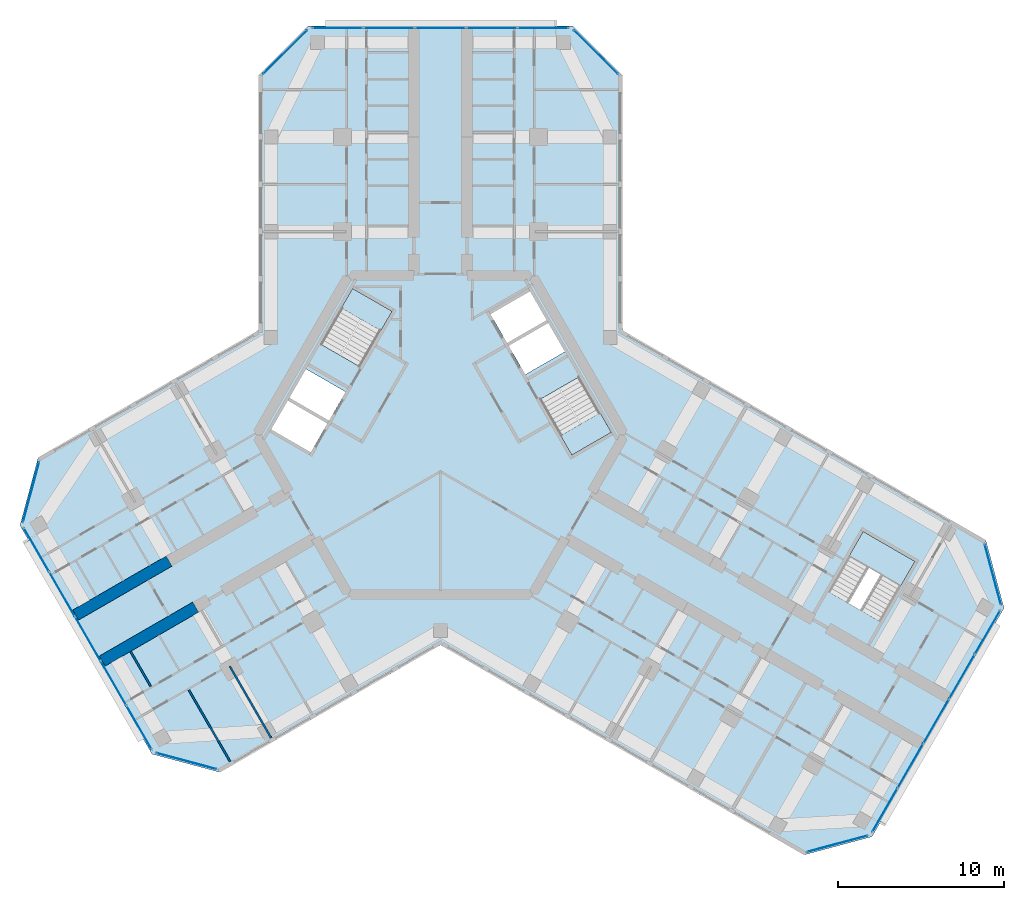
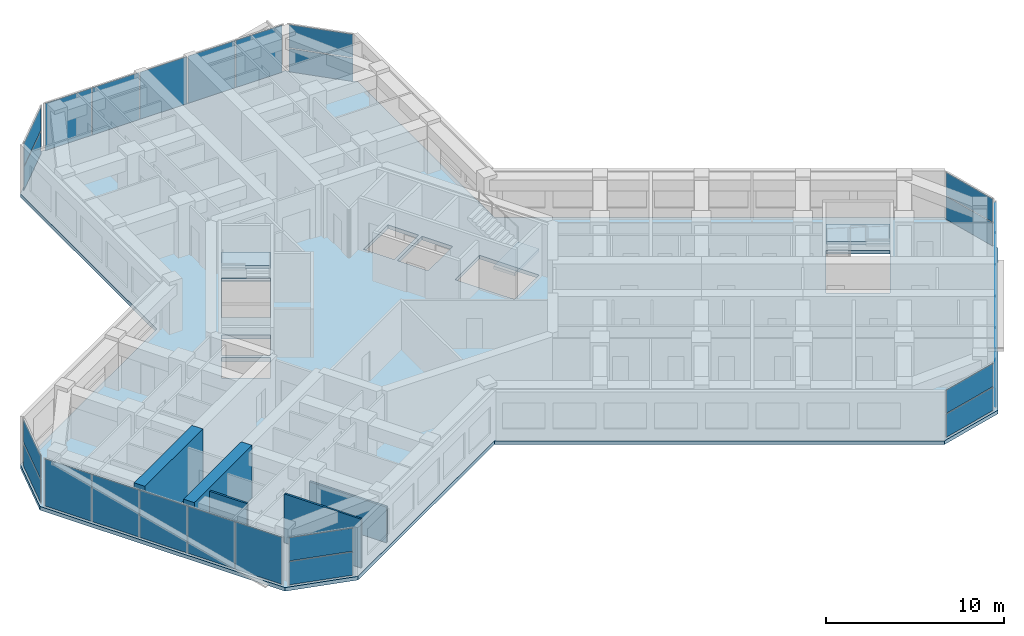
# One storey, part 7 of 16: 27 plates, 5 walls, 4 slabs, 12 elements without a shape of their own.
"""IFC4 building model written with IfcOpenShell, lengths in metres."""

from ifc_helpers import new_model, si_unit, direction, frame, frame_2d, origin, origin_2d, place, context, subcontext, project, spatial, polyline, rectangle, outline, extrude, material, layer, layer_set, type_object, element, aggregate, save


model = new_model("IFC4")

# Units and contexts
model_context = context("Model", 3, precision=1e-05, world=origin(), true_north=direction((0.0, 1.0)))
body_context = subcontext(model_context, "Body", "Model", "MODEL_VIEW")
ifc_project = project(units=[si_unit("LENGTHUNIT", "METRE"), si_unit("AREAUNIT", "SQUARE_METRE"), si_unit("VOLUMEUNIT", "CUBIC_METRE"), si_unit("PLANEANGLEUNIT", "RADIAN"), si_unit("MASSUNIT", "GRAM", prefix="KILO")], contexts=[model_context])

# Site, building, storey
site_placement = place(None, origin())
site = spatial("IfcSite", under=ifc_project, at=site_placement, CompositionType="ELEMENT")
building_placement = place(site_placement, origin())
building = spatial("IfcBuilding", under=site, at=building_placement, Name="Kosmar Iwan School Tower", CompositionType="ELEMENT")
storey_placement = place(building_placement, frame((0.0, 0.0, 235.199951171875)))
storey = spatial("IfcBuildingStorey", under=building, at=storey_placement, Name="L59", CompositionType="ELEMENT", Elevation=235.199951171875)

# Curtain wall, plates
ifc_material_1 = material(Name="Dark glass in black aluminium frame", Category="aluminium")
curtain_wall_type_1 = type_object("IfcCurtainWallType", Name="Chamfer curtain wall dark glass", PredefinedType="USERDEFINED", material=ifc_material_1)
curtain_wall_1_placement = place(storey_placement, origin())
curtain_wall_1 = element("IfcCurtainWall", 1, at=curtain_wall_1_placement, inside=storey, type_object=curtain_wall_type_1, Name="Curtain wall L59-F00", ObjectType="FACETED CURTAIN WALL", PredefinedType="USERDEFINED")
ifc_material_2 = material(Name="Dark glass", Category="glass")
ifc_layer_1 = layer(ifc_material_2, 0.028076171875)
ifc_layer_set_1 = layer_set([ifc_layer_1], Name="Dark glass panel 28")
plate_type = type_object("IfcPlateType", Name="Dark glass panel 28", PredefinedType="CURTAIN_PANEL", material=ifc_layer_set_1)
plate_1_placement = place(storey_placement, frame((23.908203125, -24.61328125, 0.06005859375), z_axis=(0.0, 0.0, 1.0), x_axis=(0.965925875495, 0.258818861462, 0.0)))
plate_1 = element("IfcPlate", 2, at=plate_1_placement, type_object=plate_type, Name="CW2 panel 1.1", PredefinedType="CURTAIN_PANEL", context=body_context, shape_type="SweptSolid", body=[
    extrude(rectangle(XDim=3.718994140625, YDim=0.028076171875, at=origin_2d()), origin(), (0.0, 0.0, 1.0), 1.5849609375),
])
plate_2_placement = place(storey_placement, frame((23.908203125, -24.61328125, 1.705078125), z_axis=(0.0, 0.0, 1.0), x_axis=(0.965925875495, 0.258818861462, 0.0)))
plate_2 = element("IfcPlate", 3, at=plate_2_placement, type_object=plate_type, Name="CW2 panel 1.2", PredefinedType="CURTAIN_PANEL", context=body_context, shape_type="SweptSolid", body=[
    extrude(rectangle(XDim=3.718994140625, YDim=0.028076171875, at=origin_2d()), origin(), (0.0, 0.0, 1.0), 1.5849609375),
])
aggregate(curtain_wall_1, [plate_1, plate_2])

ifc_material_3 = material(Name="Dark glass in black aluminium frame", Category="aluminium")
curtain_wall_type_2 = type_object("IfcCurtainWallType", Name="Tower curtain wall dark glass", PredefinedType="USERDEFINED", material=ifc_material_3)
curtain_wall_2_placement = place(storey_placement, origin())
curtain_wall_2 = element("IfcCurtainWall", 4, at=curtain_wall_2_placement, inside=storey, type_object=curtain_wall_type_2, Name="Curtain wall L59-F01", ObjectType="UNITISED CURTAIN WALL", PredefinedType="USERDEFINED")
plate_3_placement = place(storey_placement, frame((26.764404296875, -22.592529296875, 0.06005859375), z_axis=(0.0, 0.0, 1.0), x_axis=(0.499999997325, 0.866025405329, 0.0)))
plate_3 = element("IfcPlate", 5, at=plate_3_placement, type_object=plate_type, Name="CW1 panel 1.1", PredefinedType="CURTAIN_PANEL", context=body_context, shape_type="SweptSolid", body=[
    extrude(rectangle(XDim=3.00927734375, YDim=0.028076171875, at=origin_2d()), origin(), (0.0, 0.0, 1.0), 3.22998046875),
])
plate_4_placement = place(storey_placement, frame((28.306640625, -19.921630859375, 0.06005859375), z_axis=(0.0, 0.0, 1.0), x_axis=(0.499999997325, 0.866025405329, 0.0)))
plate_4 = element("IfcPlate", 6, at=plate_4_placement, type_object=plate_type, Name="CW1 panel 2.1", PredefinedType="CURTAIN_PANEL", context=body_context, shape_type="SweptSolid", body=[
    extrude(rectangle(XDim=3.039306640625, YDim=0.028076171875, at=origin_2d()), origin(), (0.0, 0.0, 1.0), 3.22998046875),
])
plate_5_placement = place(storey_placement, frame((29.856201171875, -17.237548828125, 0.06005859375), z_axis=(0.0, 0.0, 1.0), x_axis=(0.499999997325, 0.866025405329, 0.0)))
plate_5 = element("IfcPlate", 7, at=plate_5_placement, type_object=plate_type, Name="CW1 panel 3.1", PredefinedType="CURTAIN_PANEL", context=body_context, shape_type="SweptSolid", body=[
    extrude(rectangle(XDim=3.039306640625, YDim=0.028076171875, at=origin_2d()), origin(), (0.0, 0.0, 1.0), 3.22998046875),
])
plate_6_placement = place(storey_placement, frame((31.40576171875, -14.553466796875, 0.06005859375), z_axis=(0.0, 0.0, 1.0), x_axis=(0.499999997325, 0.866025405329, 0.0)))
plate_6 = element("IfcPlate", 8, at=plate_6_placement, type_object=plate_type, Name="CW1 panel 4.1", PredefinedType="CURTAIN_PANEL", context=body_context, shape_type="SweptSolid", body=[
    extrude(rectangle(XDim=3.039306640625, YDim=0.028076171875, at=origin_2d()), origin(), (0.0, 0.0, 1.0), 3.22998046875),
])
plate_7_placement = place(storey_placement, frame((32.947998046875, -11.88232421875, 0.06005859375), z_axis=(0.0, 0.0, 1.0), x_axis=(0.499999997325, 0.866025405329, 0.0)))
plate_7 = element("IfcPlate", 9, at=plate_7_placement, type_object=plate_type, Name="CW1 panel 5.1", PredefinedType="CURTAIN_PANEL", context=body_context, shape_type="SweptSolid", body=[
    extrude(rectangle(XDim=3.00927734375, YDim=0.028076171875, at=origin_2d()), origin(), (0.0, 0.0, 1.0), 3.22998046875),
])
aggregate(curtain_wall_2, [plate_3, plate_4, plate_5, plate_6, plate_7])

curtain_wall_3_placement = place(storey_placement, origin())
curtain_wall_3 = element("IfcCurtainWall", 10, at=curtain_wall_3_placement, inside=storey, type_object=curtain_wall_type_1, Name="Curtain wall L59-F02", ObjectType="FACETED CURTAIN WALL", PredefinedType="USERDEFINED")
plate_8_placement = place(storey_placement, frame((33.269775390625, -8.3984375, 0.06005859375), z_axis=(0.0, 0.0, 1.0), x_axis=(-0.258818861462, 0.965925875495, 0.0)))
plate_8 = element("IfcPlate", 11, at=plate_8_placement, type_object=plate_type, Name="CW2 panel 1.1", PredefinedType="CURTAIN_PANEL", context=body_context, shape_type="SweptSolid", body=[
    extrude(rectangle(XDim=3.718994140625, YDim=0.028076171875, at=origin_2d()), origin(), (0.0, 0.0, 1.0), 1.5849609375),
])
plate_9_placement = place(storey_placement, frame((33.269775390625, -8.3984375, 1.705078125), z_axis=(0.0, 0.0, 1.0), x_axis=(-0.258818861462, 0.965925875495, 0.0)))
plate_9 = element("IfcPlate", 12, at=plate_9_placement, type_object=plate_type, Name="CW2 panel 1.2", PredefinedType="CURTAIN_PANEL", context=body_context, shape_type="SweptSolid", body=[
    extrude(rectangle(XDim=3.718994140625, YDim=0.028076171875, at=origin_2d()), origin(), (0.0, 0.0, 1.0), 1.5849609375),
])
aggregate(curtain_wall_3, [plate_8, plate_9])

curtain_wall_4_placement = place(storey_placement, origin())
curtain_wall_4 = element("IfcCurtainWall", 13, at=curtain_wall_4_placement, inside=storey, type_object=curtain_wall_type_1, Name="Curtain wall L59-F05", ObjectType="FACETED CURTAIN WALL", PredefinedType="USERDEFINED")
plate_10_placement = place(storey_placement, frame((9.361572265625, 23.0615234375, 0.06005859375), z_axis=(0.0, 0.0, 1.0), x_axis=(-0.707106781187, 0.707106781187, 0.0)))
plate_10 = element("IfcPlate", 14, at=plate_10_placement, type_object=plate_type, Name="CW2 panel 1.1", PredefinedType="CURTAIN_PANEL", context=body_context, shape_type="SweptSolid", body=[
    extrude(rectangle(XDim=3.718994140625, YDim=0.028076171875, at=origin_2d()), origin(), (0.0, 0.0, 1.0), 1.5849609375),
])
plate_11_placement = place(storey_placement, frame((9.361572265625, 23.0615234375, 1.705078125), z_axis=(0.0, 0.0, 1.0), x_axis=(-0.707106781187, 0.707106781187, 0.0)))
plate_11 = element("IfcPlate", 15, at=plate_11_placement, type_object=plate_type, Name="CW2 panel 1.2", PredefinedType="CURTAIN_PANEL", context=body_context, shape_type="SweptSolid", body=[
    extrude(rectangle(XDim=3.718994140625, YDim=0.028076171875, at=origin_2d()), origin(), (0.0, 0.0, 1.0), 1.5849609375),
])
aggregate(curtain_wall_4, [plate_10, plate_11])

curtain_wall_5_placement = place(storey_placement, origin())
curtain_wall_5 = element("IfcCurtainWall", 16, at=curtain_wall_5_placement, inside=storey, type_object=curtain_wall_type_2, Name="Curtain wall L59-F06", ObjectType="UNITISED CURTAIN WALL", PredefinedType="USERDEFINED")
plate_12_placement = place(storey_placement, frame((6.18359375, 24.52490234375, 0.06005859375), z_axis=(0.0, 0.0, 1.0), x_axis=(-1.0, 0.0, 0.0)))
plate_12 = element("IfcPlate", 17, at=plate_12_placement, type_object=plate_type, Name="CW1 panel 1.1", PredefinedType="CURTAIN_PANEL", context=body_context, shape_type="SweptSolid", body=[
    extrude(rectangle(XDim=3.00927734375, YDim=0.028076171875, at=origin_2d()), origin(), (0.0, 0.0, 1.0), 3.22998046875),
])
plate_13_placement = place(storey_placement, frame((3.099365234375, 24.52490234375, 0.06005859375), z_axis=(0.0, 0.0, 1.0), x_axis=(-1.0, 0.0, 0.0)))
plate_13 = element("IfcPlate", 18, at=plate_13_placement, type_object=plate_type, Name="CW1 panel 2.1", PredefinedType="CURTAIN_PANEL", context=body_context, shape_type="SweptSolid", body=[
    extrude(rectangle(XDim=3.039306640625, YDim=0.028076171875, at=origin_2d()), origin(), (0.0, 0.0, 1.0), 3.22998046875),
])
plate_14_placement = place(storey_placement, frame((0.0, 24.52490234375, 0.06005859375), z_axis=(0.0, 0.0, 1.0), x_axis=(-1.0, 0.0, 0.0)))
plate_14 = element("IfcPlate", 19, at=plate_14_placement, type_object=plate_type, Name="CW1 panel 3.1", PredefinedType="CURTAIN_PANEL", context=body_context, shape_type="SweptSolid", body=[
    extrude(rectangle(XDim=3.039306640625, YDim=0.028076171875, at=origin_2d()), origin(), (0.0, 0.0, 1.0), 3.22998046875),
])
plate_15_placement = place(storey_placement, frame((-3.099365234375, 24.52490234375, 0.06005859375), z_axis=(0.0, 0.0, 1.0), x_axis=(-1.0, 0.0, 0.0)))
plate_15 = element("IfcPlate", 20, at=plate_15_placement, type_object=plate_type, Name="CW1 panel 4.1", PredefinedType="CURTAIN_PANEL", context=body_context, shape_type="SweptSolid", body=[
    extrude(rectangle(XDim=3.039306640625, YDim=0.028076171875, at=origin_2d()), origin(), (0.0, 0.0, 1.0), 3.22998046875),
])
plate_16_placement = place(storey_placement, frame((-6.18359375, 24.52490234375, 0.06005859375), z_axis=(0.0, 0.0, 1.0), x_axis=(-1.0, 0.0, 0.0)))
plate_16 = element("IfcPlate", 21, at=plate_16_placement, type_object=plate_type, Name="CW1 panel 5.1", PredefinedType="CURTAIN_PANEL", context=body_context, shape_type="SweptSolid", body=[
    extrude(rectangle(XDim=3.00927734375, YDim=0.028076171875, at=origin_2d()), origin(), (0.0, 0.0, 1.0), 3.22998046875),
])
aggregate(curtain_wall_5, [plate_12, plate_13, plate_14, plate_15, plate_16])

curtain_wall_6_placement = place(storey_placement, origin())
curtain_wall_6 = element("IfcCurtainWall", 22, at=curtain_wall_6_placement, inside=storey, type_object=curtain_wall_type_1, Name="Curtain wall L59-F07", ObjectType="FACETED CURTAIN WALL", PredefinedType="USERDEFINED")
plate_17_placement = place(storey_placement, frame((-9.361572265625, 23.0615234375, 0.06005859375), z_axis=(0.0, 0.0, 1.0), x_axis=(-0.707106781187, -0.707106781187, 0.0)))
plate_17 = element("IfcPlate", 23, at=plate_17_placement, type_object=plate_type, Name="CW2 panel 1.1", PredefinedType="CURTAIN_PANEL", context=body_context, shape_type="SweptSolid", body=[
    extrude(rectangle(XDim=3.718994140625, YDim=0.028076171875, at=origin_2d()), origin(), (0.0, 0.0, 1.0), 1.5849609375),
])
plate_18_placement = place(storey_placement, frame((-9.361572265625, 23.0615234375, 1.705078125), z_axis=(0.0, 0.0, 1.0), x_axis=(-0.707106781187, -0.707106781187, 0.0)))
plate_18 = element("IfcPlate", 24, at=plate_18_placement, type_object=plate_type, Name="CW2 panel 1.2", PredefinedType="CURTAIN_PANEL", context=body_context, shape_type="SweptSolid", body=[
    extrude(rectangle(XDim=3.718994140625, YDim=0.028076171875, at=origin_2d()), origin(), (0.0, 0.0, 1.0), 1.5849609375),
])
aggregate(curtain_wall_6, [plate_17, plate_18])

curtain_wall_7_placement = place(storey_placement, origin())
curtain_wall_7 = element("IfcCurtainWall", 25, at=curtain_wall_7_placement, inside=storey, type_object=curtain_wall_type_1, Name="Curtain wall L59-F10", ObjectType="FACETED CURTAIN WALL", PredefinedType="USERDEFINED")
plate_19_placement = place(storey_placement, frame((-24.65283203125, -3.42333984375, 0.06005859375), z_axis=(0.0, 0.0, 1.0), x_axis=(-0.258818861462, -0.965925875495, 0.0)))
plate_19 = element("IfcPlate", 26, at=plate_19_placement, type_object=plate_type, Name="CW2 panel 1.1", PredefinedType="CURTAIN_PANEL", context=body_context, shape_type="SweptSolid", body=[
    extrude(rectangle(XDim=3.718994140625, YDim=0.028076171875, at=origin_2d()), origin(), (0.0, 0.0, 1.0), 1.5849609375),
])
plate_20_placement = place(storey_placement, frame((-24.65283203125, -3.42333984375, 1.705078125), z_axis=(0.0, 0.0, 1.0), x_axis=(-0.258818861462, -0.965925875495, 0.0)))
plate_20 = element("IfcPlate", 27, at=plate_20_placement, type_object=plate_type, Name="CW2 panel 1.2", PredefinedType="CURTAIN_PANEL", context=body_context, shape_type="SweptSolid", body=[
    extrude(rectangle(XDim=3.718994140625, YDim=0.028076171875, at=origin_2d()), origin(), (0.0, 0.0, 1.0), 1.5849609375),
])
aggregate(curtain_wall_7, [plate_19, plate_20])

curtain_wall_8_placement = place(storey_placement, origin())
curtain_wall_8 = element("IfcCurtainWall", 28, at=curtain_wall_8_placement, inside=storey, type_object=curtain_wall_type_2, Name="Curtain wall L59-F11", ObjectType="UNITISED CURTAIN WALL", PredefinedType="USERDEFINED")
plate_21_placement = place(storey_placement, frame((-24.3310546875, -6.907470703125, 0.06005859375), z_axis=(0.0, 0.0, 1.0), x_axis=(0.499999997325, -0.866025405329, 0.0)))
plate_21 = element("IfcPlate", 29, at=plate_21_placement, type_object=plate_type, Name="CW1 panel 1.1", PredefinedType="CURTAIN_PANEL", context=body_context, shape_type="SweptSolid", body=[
    extrude(rectangle(XDim=3.00927734375, YDim=0.028076171875, at=origin_2d()), origin(), (0.0, 0.0, 1.0), 3.22998046875),
])
plate_22_placement = place(storey_placement, frame((-22.788818359375, -9.578369140625, 0.06005859375), z_axis=(0.0, 0.0, 1.0), x_axis=(0.499999997325, -0.866025405329, 0.0)))
plate_22 = element("IfcPlate", 30, at=plate_22_placement, type_object=plate_type, Name="CW1 panel 2.1", PredefinedType="CURTAIN_PANEL", context=body_context, shape_type="SweptSolid", body=[
    extrude(rectangle(XDim=3.039306640625, YDim=0.028076171875, at=origin_2d()), origin(), (0.0, 0.0, 1.0), 3.22998046875),
])
plate_23_placement = place(storey_placement, frame((-21.2392578125, -12.262451171875, 0.06005859375), z_axis=(0.0, 0.0, 1.0), x_axis=(0.499999997325, -0.866025405329, 0.0)))
plate_23 = element("IfcPlate", 31, at=plate_23_placement, type_object=plate_type, Name="CW1 panel 3.1", PredefinedType="CURTAIN_PANEL", context=body_context, shape_type="SweptSolid", body=[
    extrude(rectangle(XDim=3.039306640625, YDim=0.028076171875, at=origin_2d()), origin(), (0.0, 0.0, 1.0), 3.22998046875),
])
plate_24_placement = place(storey_placement, frame((-19.689697265625, -14.946533203125, 0.06005859375), z_axis=(0.0, 0.0, 1.0), x_axis=(0.499999997325, -0.866025405329, 0.0)))
plate_24 = element("IfcPlate", 32, at=plate_24_placement, type_object=plate_type, Name="CW1 panel 4.1", PredefinedType="CURTAIN_PANEL", context=body_context, shape_type="SweptSolid", body=[
    extrude(rectangle(XDim=3.039306640625, YDim=0.028076171875, at=origin_2d()), origin(), (0.0, 0.0, 1.0), 3.22998046875),
])
plate_25_placement = place(storey_placement, frame((-18.1474609375, -17.61767578125, 0.06005859375), z_axis=(0.0, 0.0, 1.0), x_axis=(0.499999997325, -0.866025405329, 0.0)))
plate_25 = element("IfcPlate", 33, at=plate_25_placement, type_object=plate_type, Name="CW1 panel 5.1", PredefinedType="CURTAIN_PANEL", context=body_context, shape_type="SweptSolid", body=[
    extrude(rectangle(XDim=3.00927734375, YDim=0.028076171875, at=origin_2d()), origin(), (0.0, 0.0, 1.0), 3.22998046875),
])
aggregate(curtain_wall_8, [plate_21, plate_22, plate_23, plate_24, plate_25])

curtain_wall_9_placement = place(storey_placement, origin())
curtain_wall_9 = element("IfcCurtainWall", 34, at=curtain_wall_9_placement, inside=storey, type_object=curtain_wall_type_1, Name="Curtain wall L59-F12", ObjectType="FACETED CURTAIN WALL", PredefinedType="USERDEFINED")
plate_26_placement = place(storey_placement, frame((-15.291015625, -19.63818359375, 0.06005859375), z_axis=(0.0, 0.0, 1.0), x_axis=(0.965925875495, -0.258818861462, 0.0)))
plate_26 = element("IfcPlate", 35, at=plate_26_placement, type_object=plate_type, Name="CW2 panel 1.1", PredefinedType="CURTAIN_PANEL", context=body_context, shape_type="SweptSolid", body=[
    extrude(rectangle(XDim=3.718994140625, YDim=0.028076171875, at=origin_2d()), origin(), (0.0, 0.0, 1.0), 1.5849609375),
])
plate_27_placement = place(storey_placement, frame((-15.291015625, -19.63818359375, 1.705078125), z_axis=(0.0, 0.0, 1.0), x_axis=(0.965925875495, -0.258818861462, 0.0)))
plate_27 = element("IfcPlate", 36, at=plate_27_placement, type_object=plate_type, Name="CW2 panel 1.2", PredefinedType="CURTAIN_PANEL", context=body_context, shape_type="SweptSolid", body=[
    extrude(rectangle(XDim=3.718994140625, YDim=0.028076171875, at=origin_2d()), origin(), (0.0, 0.0, 1.0), 1.5849609375),
])
aggregate(curtain_wall_9, [plate_26, plate_27])

# Stair, slab
ifc_material_4 = material(Name="Concrete C35/45", Category="concrete")
stair_type_1 = type_object("IfcStairType", Name="Escape stair 3600", PredefinedType="HALF_TURN_STAIR", material=ifc_material_4)
stair_1_placement = place(storey_placement, origin())
stair_1 = element("IfcStair", 37, at=stair_1_placement, inside=storey, type_object=stair_type_1, Name="Stair WS3 L59", PredefinedType="HALF_TURN_STAIR")
ifc_material_5 = material(Name="Concrete C35/45", Category="concrete")
ifc_layer_2 = layer(ifc_material_5, 0.199951171875)
ifc_layer_set_2 = layer_set([ifc_layer_2], Name="Escape stair landing 200")
slab_type_1 = type_object("IfcSlabType", Name="Escape stair landing 200", PredefinedType="LANDING", material=ifc_layer_set_2)
slab_1_placement = place(storey_placement, frame((0.0, 0.0, 1.60009765625)))
slab_1 = element("IfcSlab", 38, at=slab_1_placement, type_object=slab_type_1, Name="WS3 landing 1", PredefinedType="LANDING", context=body_context, shape_type="SweptSolid", body=[
    extrude(outline(polyline([(24.607421875, -7.27880859375), (27.72509765625, -9.078857421875), (28.574951171875, -7.606689453125), (25.457275390625, -5.806640625), (24.607421875, -7.27880859375)])), origin(), (0.0, 0.0, 1.0), 0.199951171875),
])
aggregate(stair_1, [slab_1])

# Slab
ifc_material_6 = material(Name="Concrete C35/45", Category="concrete")
ifc_layer_3 = layer(ifc_material_6, 0.25)
ifc_layer_set_3 = layer_set([ifc_layer_3], Name="Floor slab 250")
slab_type_2 = type_object("IfcSlabType", Name="Floor slab 250", PredefinedType="FLOOR", material=ifc_layer_set_3)
slab_2_placement = place(storey_placement, frame((0.0, 0.0, -0.25)))
element("IfcSlab", 39, at=slab_2_placement, inside=storey, type_object=slab_type_2, Name="L59 floor slab", PredefinedType="FLOOR", context=body_context, shape_type="SweptSolid", body=[
    extrude(outline(polyline([(21.891357421875, -25.282958984375), (25.989501953125, -24.184814453125), (33.939453125, -10.4150390625), (32.84130859375, -6.317138671875), (10.949951171875, 6.322021484375), (10.949951171875, 21.64990234375), (7.949951171875, 24.64990234375), (-7.949951171875, 24.64990234375), (-10.949951171875, 21.64990234375), (-10.949951171875, 6.322021484375), (-24.224365234375, -1.342041015625), (-25.322509765625, -5.440185546875), (-17.37255859375, -19.2099609375), (-13.2744140625, -20.307861328125), (0.0, -12.64404296875), (21.891357421875, -25.282958984375)]), holes=[polyline([(7.91259765625, -1.205078125), (10.294189453125, 0.169921875), (8.3642578125, 3.5126953125), (5.982666015625, 2.1376953125), (7.91259765625, -1.205078125)]), polyline([(-2.91259765625, 7.455078125), (-5.294189453125, 8.830078125), (-7.22412109375, 5.4873046875), (-4.8427734375, 4.1123046875), (-2.91259765625, 7.455078125)]), polyline([(-5.712646484375, 2.60546875), (-8.09423828125, 3.98046875), (-9.09423828125, 2.248291015625), (-6.712646484375, 0.873291015625), (-5.712646484375, 2.60546875)]), polyline([(-6.812744140625, 0.7001953125), (-9.1943359375, 2.0751953125), (-10.1943359375, 0.343017578125), (-7.812744140625, -1.031982421875), (-6.812744140625, 0.7001953125)]), polyline([(5.112548828125, 3.64453125), (7.494140625, 5.01953125), (6.494140625, 6.751708984375), (4.112548828125, 5.376708984375), (5.112548828125, 3.64453125)]), polyline([(4.0126953125, 5.5498046875), (6.394287109375, 6.9248046875), (5.394287109375, 8.656982421875), (3.0126953125, 7.281982421875), (4.0126953125, 5.5498046875)]), polyline([(23.367431640625, -9.426513671875), (26.485107421875, -11.2265625), (28.574951171875, -7.606689453125), (25.457275390625, -5.806640625), (23.367431640625, -9.426513671875)])]), origin(), (0.0, 0.0, 1.0), 0.25),
])

# Stair, slab
ifc_material_7 = material(Name="Concrete C35/45", Category="concrete")
stair_type_2 = type_object("IfcStairType", Name="Core stair 2750", PredefinedType="HALF_TURN_STAIR", material=ifc_material_7)
stair_2_placement = place(storey_placement, origin())
stair_2 = element("IfcStair", 40, at=stair_2_placement, inside=storey, type_object=stair_type_2, Name="Stair ST2 L59", PredefinedType="HALF_TURN_STAIR")
ifc_material_8 = material(Name="Concrete C35/45", Category="concrete")
ifc_layer_4 = layer(ifc_material_8, 0.199951171875)
ifc_layer_set_4 = layer_set([ifc_layer_4], Name="Stair landing 200")
slab_type_3 = type_object("IfcSlabType", Name="Stair landing 200", PredefinedType="LANDING", material=ifc_layer_set_4)
slab_3_placement = place(storey_placement, frame((0.0, 0.0, 1.60009765625)))
slab_3 = element("IfcSlab", 41, at=slab_3_placement, type_object=slab_type_3, Name="ST2 landing 1", PredefinedType="LANDING", context=body_context, shape_type="SweptSolid", body=[
    extrude(outline(polyline([(-2.91259765625, 7.455078125), (-5.294189453125, 8.830078125), (-5.97412109375, 7.65234375), (-3.5927734375, 6.27734375), (-2.91259765625, 7.455078125)])), origin(), (0.0, 0.0, 1.0), 0.199951171875),
])
aggregate(stair_2, [slab_3])

stair_3_placement = place(storey_placement, origin())
stair_3 = element("IfcStair", 42, at=stair_3_placement, inside=storey, type_object=stair_type_2, Name="Stair ST1 L59", PredefinedType="HALF_TURN_STAIR")
slab_4_placement = place(storey_placement, frame((0.0, 0.0, 1.60009765625)))
slab_4 = element("IfcSlab", 43, at=slab_4_placement, type_object=slab_type_3, Name="ST1 landing 1", PredefinedType="LANDING", context=body_context, shape_type="SweptSolid", body=[
    extrude(outline(polyline([(7.91259765625, -1.205078125), (10.294189453125, 0.169921875), (9.6142578125, 1.34765625), (7.232666015625, -0.02734375), (7.91259765625, -1.205078125)])), origin(), (0.0, 0.0, 1.0), 0.199951171875),
])
aggregate(stair_3, [slab_4])

# Walls
ifc_material_9 = material(Name="Concrete C50/60", Category="concrete")
ifc_layer_5 = layer(ifc_material_9, 0.699951171875)
ifc_layer_set_5 = layer_set([ifc_layer_5], Name="Corridor buttress wall 700")
wall_type_1 = type_object("IfcWallType", Name="Corridor buttress wall 700", PredefinedType="SHEAR", material=ifc_layer_set_5)
wall_1_placement = place(storey_placement, frame((-14.7451171875, -10.360595703125, 0.0), z_axis=(0.0, 0.0, 1.0), x_axis=(-0.866027848477, -0.499995765644, 0.0)))
element("IfcWall", 44, at=wall_1_placement, inside=storey, type_object=wall_type_1, Name="Corridor wall BL bay 2", PredefinedType="SHEAR", context=body_context, shape_type="SweptSolid", body=[
    extrude(rectangle(XDim=6.4951171875, YDim=0.699951171875, at=frame_2d((3.24755859375, 0.0))), origin(), (0.0, 0.0, 1.0), 3.60009765625),
])
wall_2_placement = place(storey_placement, frame((-16.34521484375, -7.58935546875, 0.0), z_axis=(0.0, 0.0, 1.0), x_axis=(-0.866018451174, -0.500012042081, 0.0)))
element("IfcWall", 45, at=wall_2_placement, inside=storey, type_object=wall_type_1, Name="Corridor wall BR bay 2", PredefinedType="SHEAR", context=body_context, shape_type="SweptSolid", body=[
    extrude(rectangle(XDim=6.494873046875, YDim=0.699951171875, at=frame_2d((3.24755859375, 0.0))), origin(), (0.0, 0.0, 1.0), 3.60009765625),
])
ifc_material_10 = material(Name="Gypsum board on steel studs", Category="steel")
ifc_layer_6 = layer(ifc_material_10, 0.1201171875)
ifc_layer_set_6 = layer_set([ifc_layer_6], Name="Dwelling partition 120")
wall_type_2 = type_object("IfcWallType", Name="Dwelling partition 120", PredefinedType="PARTITIONING", material=ifc_layer_set_6)
wall_3_placement = place(storey_placement, frame((-12.690185546875, -13.919921875, 0.0), z_axis=(0.0, 0.0, 1.0), x_axis=(0.500011847778, -0.866018563358, 0.0)))
element("IfcWall", 46, at=wall_3_placement, inside=storey, type_object=wall_type_2, Name="Partition L59-BL1-X2", PredefinedType="PARTITIONING", context=body_context, shape_type="SweptSolid", body=[
    extrude(rectangle(XDim=4.990234375, YDim=0.1201171875, at=frame_2d((2.4951171875, 0.0))), origin(), (0.0, 0.0, 1.0), 2.449951171875),
])
wall_4_placement = place(storey_placement, frame((-15.158447265625, -15.344970703125, 0.0), z_axis=(0.0, 0.0, 1.0), x_axis=(0.500011847778, -0.866018563358, 0.0)))
element("IfcWall", 47, at=wall_4_placement, inside=storey, type_object=wall_type_2, Name="Partition L59-BL1-X3", PredefinedType="PARTITIONING", context=body_context, shape_type="SweptSolid", body=[
    extrude(rectangle(XDim=4.990234375, YDim=0.1201171875, at=frame_2d((2.4951171875, 0.0))), origin(), (0.0, 0.0, 1.0), 3.35009765625),
])
wall_5_placement = place(storey_placement, frame((-18.665283203125, -13.028076171875, 0.0), z_axis=(0.0, 0.0, 1.0), x_axis=(0.500002508028, -0.866023955769, 0.0)))
element("IfcWall", 48, at=wall_5_placement, inside=storey, type_object=wall_type_2, Name="Partition L59-BL1-Y6", PredefinedType="PARTITIONING", context=body_context, shape_type="SweptSolid", body=[
    extrude(rectangle(XDim=2.43994140625, YDim=0.1201171875, at=frame_2d((1.219970703125, 0.0))), origin(), (0.0, 0.0, 1.0), 3.35009765625),
])

save(model, "model.ifc")
